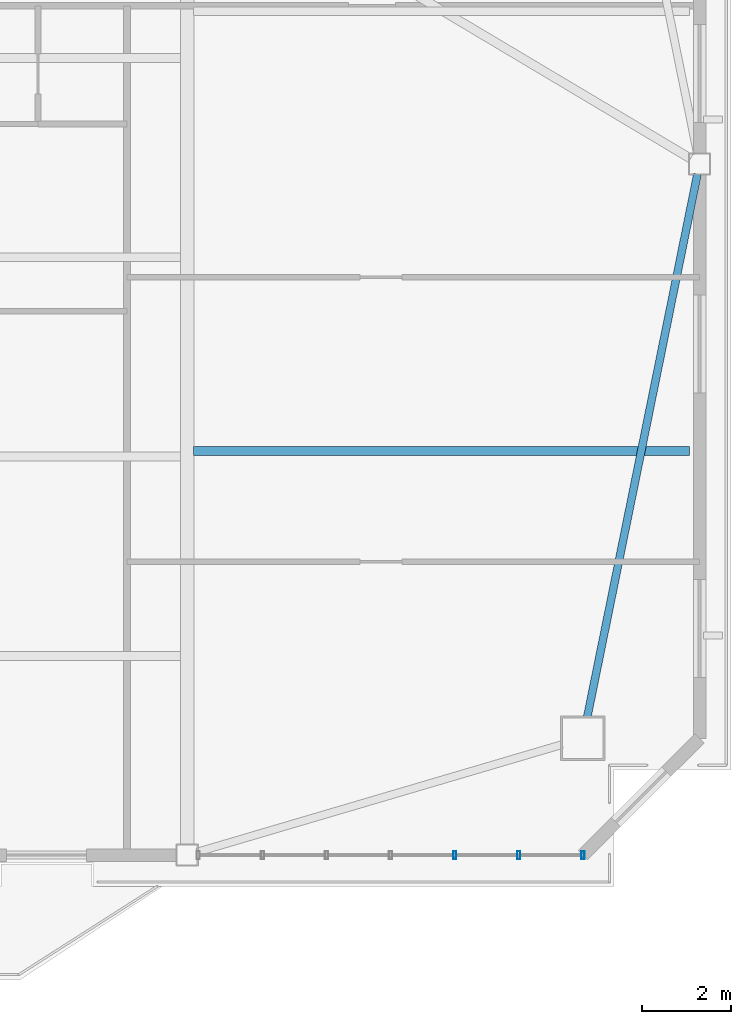
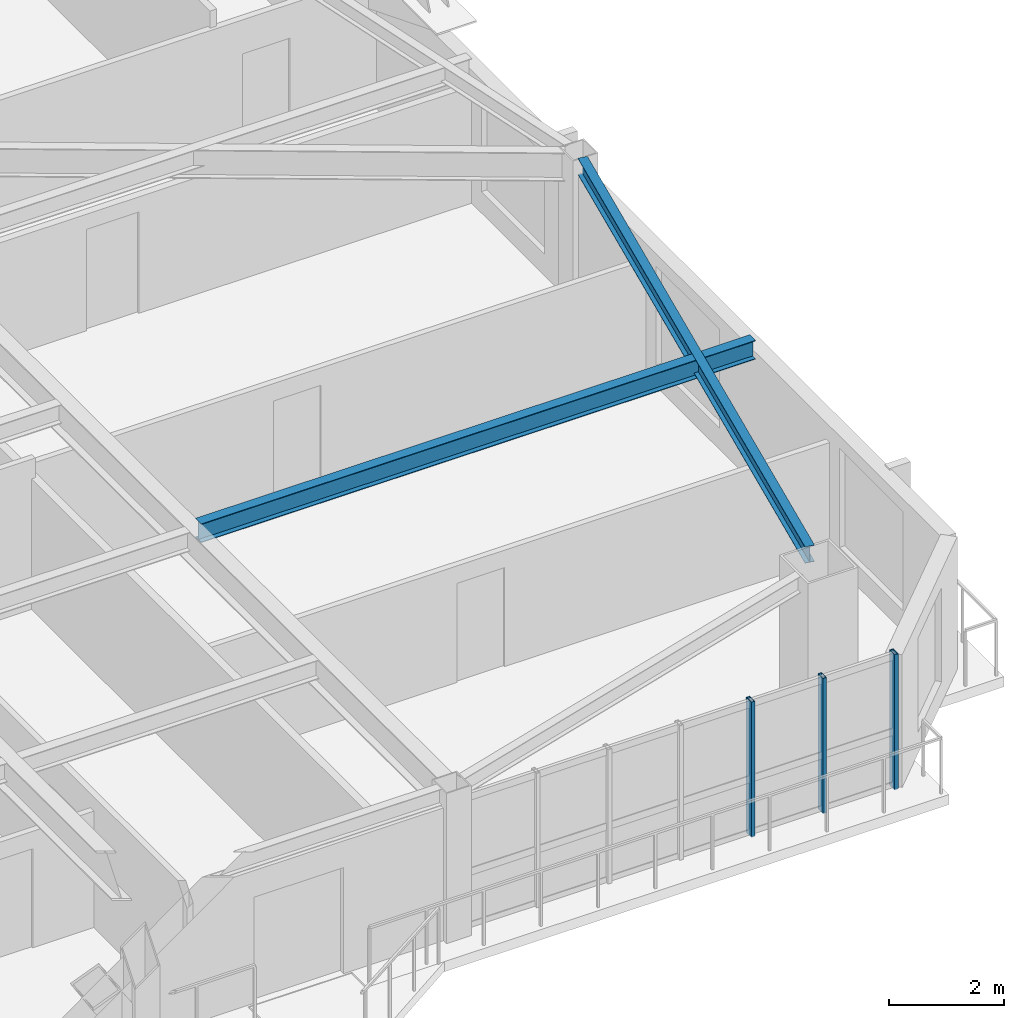
# One storey, part 6 of 17: 3 members, 2 beams, 1 element without a shape of its own.
"""IFC4 building model written with IfcOpenShell, lengths in metres."""

import ifcopenshell
import ifcopenshell.guid

model = None  # the IFC model being written
_history = None  # IfcOwnerHistory: only IFC2X3 demands one
_inside = {}  # id of a spatial element -> (the spatial element, [elements in it])
_under = {}  # id of a project, library or spatial element -> (it, [spatial elements below it])
_declared = {}  # id of a project -> (the project, [libraries it declares])
_typed = {}  # id of a type object -> (the type object, [elements of that type])
_made_of = {}  # id of a material, layer set ... -> (it, [elements and type objects made of it])


def new_model(schema):
    """Start an empty IFC model of exactly this schema.

    Asked for "IFC4X3", IfcOpenShell would pick the latest addendum, in which some entities
    have other attributes; the version numbers below select the first issue.
    IFC2X3 requires an IfcOwnerHistory on every rooted entity: one is made here for all.
    """
    global model, _history
    if schema == "IFC4X3":
        model = ifcopenshell.file(schema_version=(4, 3, 0, 0))
    else:
        model = ifcopenshell.file(schema=schema)
    _inside.clear()
    _under.clear()
    _declared.clear()
    _typed.clear()
    _made_of.clear()
    _history = None
    if model.schema == "IFC2X3":
        org = make("IfcOrganization", Name="unknown")
        user = make(
            "IfcPersonAndOrganization",
            ThePerson=make("IfcPerson", FamilyName="unknown"),
            TheOrganization=org,
        )
        app = make(
            "IfcApplication",
            ApplicationDeveloper=org,
            Version="unknown",
            ApplicationFullName="unknown",
            ApplicationIdentifier="unknown",
        )
        _history = make(
            "IfcOwnerHistory",
            OwningUser=user,
            OwningApplication=app,
            ChangeAction="ADDED",
            CreationDate=0,
        )
    return model


def make(cls, **values):
    """One entity of the class cls with the attributes given. An attribute that is None is left unset."""
    return model.create_entity(
        cls, **{name: value for name, value in values.items() if value is not None}
    )


def rooted(cls, **values):
    """An entity with a GlobalId (a new one), such as an element, a storey or a relation."""
    return make(cls, GlobalId=ifcopenshell.guid.new(), OwnerHistory=_history, **values)


def si_unit(unit_type, name, prefix=None):
    """IfcSIUnit, for example si_unit("LENGTHUNIT", "METRE", prefix="MILLI")."""
    return make("IfcSIUnit", UnitType=unit_type, Prefix=prefix, Name=name)


def assignment(units):
    """IfcUnitAssignment: the units of a project."""
    return None if units is None else make("IfcUnitAssignment", Units=units)


def point(xyz):
    """IfcCartesianPoint."""
    return None if xyz is None else make("IfcCartesianPoint", Coordinates=xyz)


def direction(xyz):
    """IfcDirection."""
    return None if xyz is None else make("IfcDirection", DirectionRatios=xyz)


def frame(location, z_axis=None, x_axis=None):
    """IfcAxis2Placement3D, a coordinate frame: its origin and axes. An axis left out is left unset."""
    return make(
        "IfcAxis2Placement3D",
        Location=point(location),
        Axis=direction(z_axis),
        RefDirection=direction(x_axis),
    )


def frame_2d(location, x_axis=None):
    """IfcAxis2Placement2D, a coordinate frame in the plane: its origin and x axis."""
    return make(
        "IfcAxis2Placement2D", Location=point(location), RefDirection=direction(x_axis)
    )


def origin():
    """The frame at (0, 0, 0) with its axes left unset."""
    return frame((0.0, 0.0, 0.0))


def origin_2d():
    """The frame at (0, 0) in the plane with its x axis left unset."""
    return frame_2d((0.0, 0.0))


def place(relative_to, where):
    """IfcLocalPlacement: puts the frame where relative to a parent placement (None: the world)."""
    return make(
        "IfcLocalPlacement", PlacementRelTo=relative_to, RelativePlacement=where
    )


def context(
    kind, dimensions, precision=None, world=None, true_north=None, identifier=None
):
    """IfcGeometricRepresentationContext, for example the 3D "Model" context."""
    return make(
        "IfcGeometricRepresentationContext",
        ContextIdentifier=identifier,
        ContextType=kind,
        CoordinateSpaceDimension=dimensions,
        Precision=precision,
        WorldCoordinateSystem=world,
        TrueNorth=true_north,
    )


def subcontext(parent, identifier, kind, view, scale=None):
    """IfcGeometricRepresentationSubContext, for example "Body" below "Model"."""
    return make(
        "IfcGeometricRepresentationSubContext",
        ContextIdentifier=identifier,
        ContextType=kind,
        ParentContext=parent,
        TargetScale=scale,
        TargetView=view,
    )


def project(units=None, contexts=None):
    """IfcProject with its units and contexts."""
    return rooted(
        "IfcProject",
        Name="project",
        RepresentationContexts=contexts,
        UnitsInContext=assignment(units),
    )


def spatial(cls, under=None, at=None, **own):
    """A site, building, storey or space (cls), placed at a placement, below another one or the project."""
    s = rooted(cls, ObjectPlacement=at, **own)
    if under is not None:
        _under.setdefault(under.id(), (under, []))[1].append(s)
    return s


def profile(cls, at=None, kind="AREA", **sizes):
    """A parametric profile (cls). Its sizes go by their IFC names, for example OverallWidth=200.0."""
    return make(cls, ProfileType=kind, Position=at, **sizes)


def hollow_rectangle(**sizes):
    """IfcRectangleHollowProfileDef."""
    return profile("IfcRectangleHollowProfileDef", **sizes)


def i_section(**sizes):
    """IfcIShapeProfileDef."""
    return profile("IfcIShapeProfileDef", **sizes)


def extrude(swept, where, along, depth):
    """IfcExtrudedAreaSolid: the profile swept, set in the frame where, extruded along a direction by depth."""
    return make(
        "IfcExtrudedAreaSolid",
        SweptArea=swept,
        Position=where,
        ExtrudedDirection=direction(along),
        Depth=depth,
    )


def shape(context_of_items, identifier, shape_type, items):
    """IfcShapeRepresentation: the items that make up one representation, for example the "Body"."""
    return make(
        "IfcShapeRepresentation",
        ContextOfItems=context_of_items,
        RepresentationIdentifier=identifier,
        RepresentationType=shape_type,
        Items=items,
    )


def source(mapping_origin, context_of_items, identifier, shape_type, items):
    """IfcRepresentationMap: a shape defined once, which mapped items show again and again."""
    return make(
        "IfcRepresentationMap",
        MappingOrigin=mapping_origin,
        MappedRepresentation=shape(context_of_items, identifier, shape_type, items),
    )


def transform(
    local_origin,
    x_axis=None,
    y_axis=None,
    z_axis=None,
    scale=None,
    scale2=None,
    scale3=None,
    uniform=True,
):
    """IfcCartesianTransformationOperator3D, or its non-uniform kind. x_axis, y_axis, z_axis: its Axis1, 2, 3."""
    if uniform:
        return make(
            "IfcCartesianTransformationOperator3D",
            Axis1=direction(x_axis),
            Axis2=direction(y_axis),
            LocalOrigin=point(local_origin),
            Scale=scale,
            Axis3=direction(z_axis),
        )
    return make(
        "IfcCartesianTransformationOperator3DnonUniform",
        Axis1=direction(x_axis),
        Axis2=direction(y_axis),
        LocalOrigin=point(local_origin),
        Scale=scale,
        Axis3=direction(z_axis),
        Scale2=scale2,
        Scale3=scale3,
    )


def mapped(mapping_source, mapping_target):
    """IfcMappedItem: shows the shape of a source again, moved by a transform."""
    return make(
        "IfcMappedItem", MappingSource=mapping_source, MappingTarget=mapping_target
    )


def material(Name=None, Category=None):
    """IfcMaterial."""
    return make("IfcMaterial", Name=Name, Category=Category)


def layer(
    of_material, thickness, ventilated=None, Name=None, Category=None, Priority=None
):
    """IfcMaterialLayer: one layer of a wall or slab, of a material (None: an air gap)."""
    return make(
        "IfcMaterialLayer",
        Material=of_material,
        LayerThickness=thickness,
        IsVentilated=ventilated,
        Name=Name,
        Category=Category,
        Priority=Priority,
    )


def layer_set(layers, Name=None):
    """IfcMaterialLayerSet."""
    return make("IfcMaterialLayerSet", MaterialLayers=layers, LayerSetName=Name)


def material_profile(
    of_material, cross_section, Name=None, Category=None, Priority=None
):
    """IfcMaterialProfile: a cross section and its material."""
    return make(
        "IfcMaterialProfile",
        Name=Name,
        Material=of_material,
        Profile=cross_section,
        Priority=Priority,
        Category=Category,
    )


def profile_set(profiles, Name=None, composite=None):
    """IfcMaterialProfileSet."""
    return make(
        "IfcMaterialProfileSet",
        Name=Name,
        MaterialProfiles=profiles,
        CompositeProfile=composite,
    )


def made_of(thing, what):
    """Note that an element or type object is made of a material, layer set ...; save() writes the relation."""
    if what is not None:
        _made_of.setdefault(what.id(), (what, []))[1].append(thing)
    return thing


def type_object(cls, material=None, **own):
    """A type object (cls), such as IfcWallType, which elements share."""
    return made_of(rooted(cls, **own), material)


def element(
    cls,
    number,
    at=None,
    inside=None,
    cuts=None,
    type_object=None,
    material=None,
    context=None,
    identifier="Body",
    shape_type=None,
    held_by="IfcProductDefinitionShape",
    body=None,
    shapes=None,
    **own,
):
    """One element of the class cls, such as IfcWall. Its Tag is "e" and its number.

    at: its placement. inside: the storey or other place that contains it. cuts: it is an
    opening in that element (IfcRelVoidsElement). A single representation is given by context,
    identifier, shape_type and body (its items); several are given by shapes. held_by: the class
    of the entity that holds the representations. save() writes the other relations.
    """
    e = rooted(cls, Tag="e%d" % number, ObjectPlacement=at, **own)
    if body is not None:
        shapes = [shape(context, identifier, shape_type, body)]
    if shapes is not None:
        e.Representation = make(held_by, Representations=shapes)
    if inside is not None:
        _inside.setdefault(inside.id(), (inside, []))[1].append(e)
    if cuts is not None:
        rooted(
            "IfcRelVoidsElement", RelatingBuildingElement=cuts, RelatedOpeningElement=e
        )
    if type_object is not None:
        _typed.setdefault(type_object.id(), (type_object, []))[1].append(e)
    return made_of(e, material)


def aggregate(whole, parts):
    """IfcRelAggregates: a whole, such as a stair, and the parts it consists of."""
    return rooted("IfcRelAggregates", RelatingObject=whole, RelatedObjects=parts)


def save(model, path):
    """Write the relations noted so far, then the file.

    IfcRelAggregates (storeys below a building ...), IfcRelContainedInSpatialStructure (elements
    in a storey), IfcRelDefinesByType, IfcRelAssociatesMaterial and IfcRelDeclares: one each for
    every whole, place, type object, material and project.
    """
    for whole, parts in _under.values():
        aggregate(whole, parts)
    for where, things in _inside.values():
        rooted(
            "IfcRelContainedInSpatialStructure",
            RelatedElements=things,
            RelatingStructure=where,
        )
    for kind, things in _typed.values():
        rooted("IfcRelDefinesByType", RelatedObjects=things, RelatingType=kind)
    for what, things in _made_of.values():
        rooted("IfcRelAssociatesMaterial", RelatedObjects=things, RelatingMaterial=what)
    for by, libraries in _declared.values():
        rooted("IfcRelDeclares", RelatingContext=by, RelatedDefinitions=libraries)
    model.write(path)


model = new_model("IFC4")

# Units and contexts
model_context = context("Model", 3, precision=1e-05, world=origin(), true_north=direction((0.0, 1.0)))
body_context = subcontext(model_context, "Body", "Model", "MODEL_VIEW")
ifc_project = project(units=[si_unit("LENGTHUNIT", "METRE"), si_unit("AREAUNIT", "SQUARE_METRE"), si_unit("VOLUMEUNIT", "CUBIC_METRE"), si_unit("PLANEANGLEUNIT", "RADIAN"), si_unit("MASSUNIT", "GRAM", prefix="KILO")], contexts=[model_context])

# Site, building, storey
site_placement = place(None, origin())
site = spatial("IfcSite", under=ifc_project, at=site_placement, CompositionType="ELEMENT")
building_placement = place(site_placement, origin())
building = spatial("IfcBuilding", under=site, at=building_placement, Name="Giltprow Tower", CompositionType="ELEMENT")
storey_placement = place(building_placement, frame((0.0, 0.0, 248.5)))
storey = spatial("IfcBuildingStorey", under=building, at=storey_placement, Name="L63", CompositionType="ELEMENT", Elevation=248.5)

# Beams
ifc_material_1 = material(Name="Structural steel Q355B", Category="steel")
ifc_material_profile_1 = material_profile(ifc_material_1, i_section(OverallWidth=0.175048828125, OverallDepth=0.35009765625, WebThickness=0.007080078125, FlangeThickness=0.010986328125, at=origin_2d()), Name="HN 350x175x7x11")
ifc_profile_set_1 = profile_set([ifc_material_profile_1], Name="Structural steel Q355B")
beam_type_1 = type_object("IfcBeamType", Name="BM-SPAN-HN350", PredefinedType="SPANDREL", material=ifc_profile_set_1)
shared_shape_1 = source(origin(), body_context, "Body", "SweptSolid", [
    extrude(i_section(OverallWidth=0.175048828125, OverallDepth=0.35009765625, WebThickness=0.007080078125, FlangeThickness=0.010986328125, at=origin_2d()), origin(), (0.0, 0.0, 1.0), 12.42236328125),
])
beam_1_placement = place(storey_placement, frame((59.51904296875, 18.202880859375, 3.010009765625), z_axis=(0.198912168931, 0.980017320791, 0.0), x_axis=(-0.980017320791, 0.198912168931, 0.0)))
element("IfcBeam", 1, at=beam_1_placement, inside=storey, type_object=beam_type_1, Name="L63 Perimeter Spandrel Beam MC_SE-E_MID", PredefinedType="SPANDREL", context=body_context, shape_type="MappedRepresentation", body=[
    mapped(shared_shape_1, transform((0.0, 0.0, 0.0), x_axis=(1.0, 0.0, 0.0), y_axis=(0.0, 1.0, 0.0), z_axis=(0.0, 0.0, 1.0), scale=1.0)),
])
ifc_material_profile_2 = material_profile(ifc_material_1, i_section(OverallWidth=0.199951171875, OverallDepth=0.39990234375, WebThickness=0.008056640625, FlangeThickness=0.012939453125, at=origin_2d()), Name="HN 400x200x8x13")
ifc_profile_set_2 = profile_set([ifc_material_profile_2], Name="Structural steel Q355B")
beam_type_2 = type_object("IfcBeamType", Name="BM-JOIST-HN400", PredefinedType="JOIST", material=ifc_profile_set_2)
shared_shape_2 = source(origin(), body_context, "Body", "SweptSolid", [
    extrude(i_section(OverallWidth=0.199951171875, OverallDepth=0.39990234375, WebThickness=0.008056640625, FlangeThickness=0.012939453125, at=origin_2d()), origin(), (0.0, 0.0, 1.0), 11.121826171875),
])
beam_2_placement = place(storey_placement, frame((50.695068359375, 24.16796875, 2.985107421875), z_axis=(1.0, 0.0, 0.0), x_axis=(0.0, 1.0, 0.0)))
element("IfcBeam", 2, at=beam_2_placement, inside=storey, type_object=beam_type_2, Name="L63 East Wing Floor Joist 1", PredefinedType="JOIST", context=body_context, shape_type="MappedRepresentation", body=[
    mapped(shared_shape_2, transform((0.0, 0.0, 0.0), x_axis=(1.0, 0.0, 0.0), y_axis=(0.0, 1.0, 0.0), z_axis=(0.0, 0.0, 1.0), scale=1.0)),
])

# Curtain wall, members
ifc_material_2 = material(Name="Anodized bronze", Category="metal")
ifc_layer = layer(ifc_material_2, 0.179931640625, Name="Anodized bronze")
ifc_layer_set = layer_set([ifc_layer], Name="Anodized bronze")
curtain_wall_type = type_object("IfcCurtainWallType", Name="CW-RES-SKY", PredefinedType="NOTDEFINED", material=ifc_layer_set)
curtain_wall_placement = place(storey_placement, origin())
curtain_wall = element("IfcCurtainWall", 3, at=curtain_wall_placement, inside=storey, type_object=curtain_wall_type, Name="L63 South Recessed Curtain Wall 6", PredefinedType="NOTDEFINED")
ifc_material_profile_3 = material_profile(ifc_material_2, hollow_rectangle(XDim=0.074951171875, YDim=0.179931640625, WallThickness=0.008056640625, at=origin_2d()), Name="RHS 180x75x8")
ifc_profile_set_3 = profile_set([ifc_material_profile_3], Name="Anodized bronze")
member_type = type_object("IfcMemberType", Name="CW-MULLION-180x75", PredefinedType="MULLION", material=ifc_profile_set_3)
shared_shape_3 = source(origin(), body_context, "Body", "SweptSolid", [
    extrude(hollow_rectangle(XDim=0.074951171875, YDim=0.179931640625, WallThickness=0.008056640625, at=origin_2d()), origin(), (0.0, 0.0, 1.0), 2.8701171875),
])
member_1_placement = place(storey_placement, frame((56.548095703125, 15.113037109375, -0.02001953125), z_axis=(0.0, 0.0, 1.0), x_axis=(1.0, 0.0, 0.0)))
member_1 = element("IfcMember", 4, at=member_1_placement, type_object=member_type, Name="L63 South Recessed Curtain Wall 6 Mullion 5", PredefinedType="MULLION", context=body_context, shape_type="MappedRepresentation", body=[
    mapped(shared_shape_3, transform((0.0, 0.0, 0.0), x_axis=(1.0, 0.0, 0.0), y_axis=(0.0, 1.0, 0.0), z_axis=(0.0, 0.0, 1.0), scale=1.0)),
])
member_2_placement = place(storey_placement, frame((57.985107421875, 15.113037109375, -0.02001953125), z_axis=(0.0, 0.0, 1.0), x_axis=(1.0, 0.0, 0.0)))
member_2 = element("IfcMember", 5, at=member_2_placement, type_object=member_type, Name="L63 South Recessed Curtain Wall 6 Mullion 6", PredefinedType="MULLION", context=body_context, shape_type="MappedRepresentation", body=[
    mapped(shared_shape_3, transform((0.0, 0.0, 0.0), x_axis=(1.0, 0.0, 0.0), y_axis=(0.0, 1.0, 0.0), z_axis=(0.0, 0.0, 1.0), scale=1.0)),
])
member_3_placement = place(storey_placement, frame((59.422119140625, 15.113037109375, -0.02001953125), z_axis=(0.0, 0.0, 1.0), x_axis=(1.0, 0.0, 0.0)))
member_3 = element("IfcMember", 6, at=member_3_placement, type_object=member_type, Name="L63 South Recessed Curtain Wall 6 Mullion 7", PredefinedType="MULLION", context=body_context, shape_type="MappedRepresentation", body=[
    mapped(shared_shape_3, transform((0.0, 0.0, 0.0), x_axis=(1.0, 0.0, 0.0), y_axis=(0.0, 1.0, 0.0), z_axis=(0.0, 0.0, 1.0), scale=1.0)),
])
aggregate(curtain_wall, [member_1, member_2, member_3])

save(model, "model.ifc")
